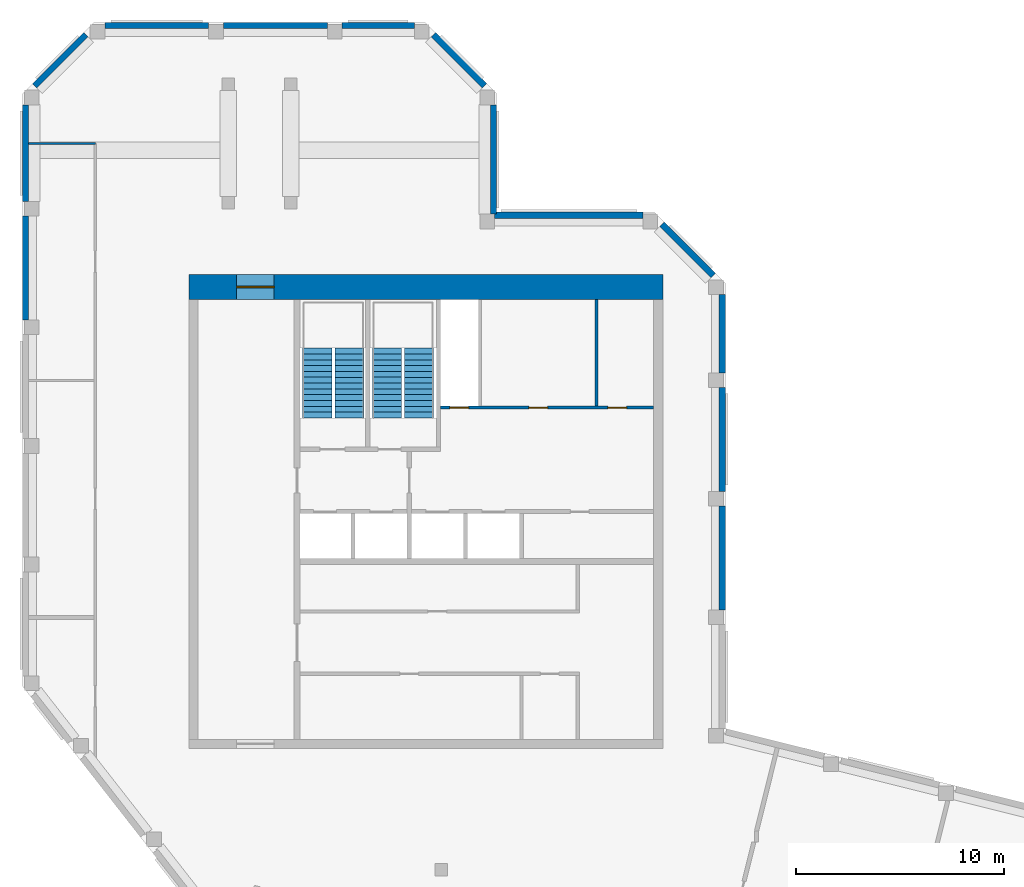
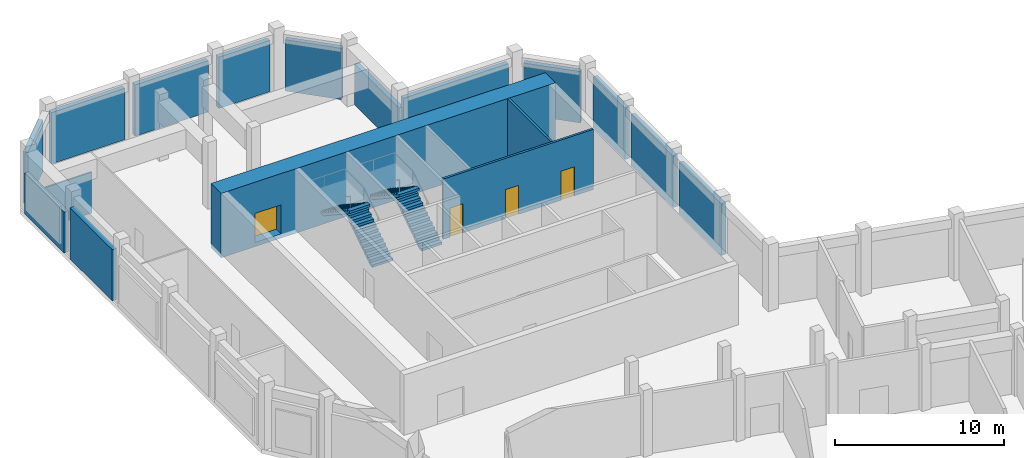
# One storey, part 4 of 5: 17 walls, 4 doors, 4 stair flights, 4 openings, 2 elements without a shape of their own.
"""IFC4 building model written with IfcOpenShell, lengths in metres."""

from ifc_helpers import new_model, si_unit, direction, frame, frame_2d, origin, place, context, subcontext, project, spatial, polyline, rectangle, outline, extrude, material, layer, layer_set, type_object, element, fill, aggregate, save


model = new_model("IFC4")

# Units and contexts
model_context = context("Model", 3, precision=1e-05, world=origin(), true_north=direction((0.0, 1.0)))
body_context = subcontext(model_context, "Body", "Model", "MODEL_VIEW")
ifc_project = project(units=[si_unit("LENGTHUNIT", "METRE"), si_unit("AREAUNIT", "SQUARE_METRE"), si_unit("VOLUMEUNIT", "CUBIC_METRE"), si_unit("PLANEANGLEUNIT", "RADIAN"), si_unit("MASSUNIT", "GRAM", prefix="KILO")], contexts=[model_context])

# Site, building, storey
site_placement = place(None, origin())
site = spatial("IfcSite", under=ifc_project, at=site_placement, CompositionType="ELEMENT")
building_placement = place(site_placement, origin())
building = spatial("IfcBuilding", under=site, at=building_placement, Name="Meshkara Civic Tower", CompositionType="ELEMENT")
storey_placement = place(building_placement, frame((0.0, 0.0, 405.0)))
storey = spatial("IfcBuildingStorey", under=building, at=storey_placement, Name="L93 Crown", CompositionType="ELEMENT", Elevation=405.0)

# Walls
ifc_material_1 = material(Name="Insulated infill panel with bronze anodised aluminium cladding", Category="aluminium")
ifc_layer_1 = layer(ifc_material_1, 0.300048828125)
ifc_layer_set_1 = layer_set([ifc_layer_1], Name="CROWN WALL 300")
wall_type_1 = type_object("IfcWallType", Name="CROWN WALL 300", PredefinedType="SOLIDWALL", material=ifc_layer_set_1)
for number, where, z_axis, x_axis, name in (
    (1, (33.64990234375, 20.76904296875, 0.0), (0.0, 0.0, 1.0), (0.0, 1.0, 0.0), "Crown external wall"),
    (2, (33.64990234375, 26.468994140625, 0.0), (0.0, 0.0, 1.0), (0.0, 1.0, 0.0), "Crown external wall"),
):
    element("IfcWall", number, at=place(storey_placement, frame(where, z_axis=z_axis, x_axis=x_axis)), inside=storey, type_object=wall_type_1, Name=name, PredefinedType="SOLIDWALL", context=body_context, shape_type="SweptSolid", body=[
        extrude(rectangle(XDim=5.0, YDim=0.300048828125, at=frame_2d((2.5, 0.0))), origin(), (0.0, 0.0, 1.0), 3.699951171875),
    ])
wall_1_placement = place(storey_placement, frame((33.64990234375, 32.1689453125, 0.0), z_axis=(0.0, 0.0, 1.0), x_axis=(0.0, 1.0, 0.0)))
element("IfcWall", 3, at=wall_1_placement, inside=storey, type_object=wall_type_1, Name="Crown external wall", PredefinedType="SOLIDWALL", context=body_context, shape_type="SweptSolid", body=[
    extrude(rectangle(XDim=3.775146484375, YDim=0.300048828125, at=frame_2d((1.8876953125, 0.0))), origin(), (0.0, 0.0, 1.0), 3.699951171875),
])
wall_2_placement = place(storey_placement, frame((33.2119140625, 36.85595703125, 0.0), z_axis=(0.0, 0.0, 1.0), x_axis=(-0.707071634094, 0.707141926532, 0.0)))
element("IfcWall", 4, at=wall_2_placement, inside=storey, type_object=wall_type_1, Name="Crown external wall", PredefinedType="SOLIDWALL", context=body_context, shape_type="SweptSolid", body=[
    extrude(rectangle(XDim=3.47314453125, YDim=0.300048828125, at=frame_2d((1.736572265625, 0.0))), origin(), (0.0, 0.0, 1.0), 3.699951171875),
])
wall_3_placement = place(storey_placement, frame((29.843994140625, 39.75, 0.0), z_axis=(0.0, 0.0, 1.0), x_axis=(-1.0, 0.0, 0.0)))
element("IfcWall", 5, at=wall_3_placement, inside=storey, type_object=wall_type_1, Name="Crown external wall", PredefinedType="SOLIDWALL", context=body_context, shape_type="SweptSolid", body=[
    extrude(rectangle(XDim=7.14404296875, YDim=0.300048828125, at=frame_2d((3.572021484375, 0.0))), origin(), (0.0, 0.0, 1.0), 3.699951171875),
])
wall_4_placement = place(storey_placement, frame((22.64990234375, 39.800048828125, 0.0), z_axis=(0.0, 0.0, 1.0), x_axis=(0.0, 1.0, 0.0)))
element("IfcWall", 6, at=wall_4_placement, inside=storey, type_object=wall_type_1, Name="Crown external wall", PredefinedType="SOLIDWALL", context=body_context, shape_type="SweptSolid", body=[
    extrude(rectangle(XDim=5.263916015625, YDim=0.300048828125, at=frame_2d((2.6318359375, 0.0))), origin(), (0.0, 0.0, 1.0), 2.949951171875),
])
wall_5_placement = place(storey_placement, frame((22.2119140625, 45.97607421875, 0.0), z_axis=(0.0, 0.0, 1.0), x_axis=(-0.707106781187, 0.707106781187, 0.0)))
element("IfcWall", 7, at=wall_5_placement, inside=storey, type_object=wall_type_1, Name="Crown external wall", PredefinedType="SOLIDWALL", context=body_context, shape_type="SweptSolid", body=[
    extrude(rectangle(XDim=3.47314453125, YDim=0.300048828125, at=frame_2d((1.736572265625, 0.0))), origin(), (0.0, 0.0, 1.0), 3.699951171875),
])
wall_6_placement = place(storey_placement, frame((18.843994140625, 48.8701171875, 0.0), z_axis=(0.0, 0.0, 1.0), x_axis=(-1.0, 0.0, 0.0)))
element("IfcWall", 8, at=wall_6_placement, inside=storey, type_object=wall_type_1, Name="Crown external wall", PredefinedType="SOLIDWALL", context=body_context, shape_type="SweptSolid", body=[
    extrude(rectangle(XDim=3.488037109375, YDim=0.300048828125, at=frame_2d((1.744140625, 0.0))), origin(), (0.0, 0.0, 1.0), 3.699951171875),
])
for number, where, z_axis, x_axis, name in (
    (9, (14.656005859375, 48.8701171875, 0.0), (0.0, 0.0, 1.0), (-1.0, 0.0, 0.0), "Crown external wall"),
    (10, (8.9560546875, 48.8701171875, 0.0), (0.0, 0.0, 1.0), (-1.0, 0.0, 0.0), "Crown external wall"),
):
    element("IfcWall", number, at=place(storey_placement, frame(where, z_axis=z_axis, x_axis=x_axis)), inside=storey, type_object=wall_type_1, Name=name, PredefinedType="SOLIDWALL", context=body_context, shape_type="SweptSolid", body=[
        extrude(rectangle(XDim=5.0, YDim=0.300048828125, at=frame_2d((2.5, 0.0))), origin(), (0.0, 0.0, 1.0), 3.699951171875),
    ])
wall_7_placement = place(storey_placement, frame((3.0439453125, 48.431884765625, 0.0), z_axis=(0.0, 0.0, 1.0), x_axis=(-0.707141926532, -0.707071634094, 0.0)))
element("IfcWall", 11, at=wall_7_placement, inside=storey, type_object=wall_type_1, Name="Crown external wall", PredefinedType="SOLIDWALL", context=body_context, shape_type="SweptSolid", body=[
    extrude(rectangle(XDim=3.47314453125, YDim=0.300048828125, at=frame_2d((1.736572265625, 0.0))), origin(), (0.0, 0.0, 1.0), 3.699951171875),
])
wall_8_placement = place(storey_placement, frame((0.14990234375, 45.06396484375, 0.0), z_axis=(0.0, 0.0, 1.0), x_axis=(0.0, -1.0, 0.0)))
element("IfcWall", 12, at=wall_8_placement, inside=storey, type_object=wall_type_1, Name="Crown external wall", PredefinedType="SOLIDWALL", context=body_context, shape_type="SweptSolid", body=[
    extrude(rectangle(XDim=4.658935546875, YDim=0.300048828125, at=frame_2d((2.32958984375, 0.0))), origin(), (0.0, 0.0, 1.0), 2.949951171875),
])
wall_9_placement = place(storey_placement, frame((0.14990234375, 39.705078125, 0.0), z_axis=(0.0, 0.0, 1.0), x_axis=(0.0, -1.0, 0.0)))
element("IfcWall", 13, at=wall_9_placement, inside=storey, type_object=wall_type_1, Name="Crown external wall", PredefinedType="SOLIDWALL", context=body_context, shape_type="SweptSolid", body=[
    extrude(rectangle(XDim=5.0, YDim=0.300048828125, at=frame_2d((2.5, 0.0))), origin(), (0.0, 0.0, 1.0), 3.699951171875),
])

# Wall, openings, doors
ifc_material_2 = material(Name="Blockwork", Category="masonry")
ifc_layer_2 = layer(ifc_material_2, 0.14990234375)
ifc_layer_set_2 = layer_set([ifc_layer_2], Name="Core partition 150")
wall_type_2 = type_object("IfcWallType", Name="Core partition 150", PredefinedType="PARTITIONING", material=ifc_layer_set_2)
wall_10_placement = place(storey_placement, frame((20.10009765625, 30.5, 0.0), z_axis=(0.0, 0.0, 1.0), x_axis=(1.0, 0.0, 0.0)))
wall_10 = element("IfcWall", 14, at=wall_10_placement, inside=storey, type_object=wall_type_2, Name="L93 Crown-C010", PredefinedType="PARTITIONING", context=body_context, shape_type="SweptSolid", body=[
    extrude(rectangle(XDim=10.25, YDim=0.14990234375, at=frame_2d((5.125, 0.0))), origin(), (0.0, 0.0, 1.0), 4.35009765625),
])
opening_1_placement = place(wall_10_placement, frame((0.449951171875, 0.0, 0.0)))
opening_1 = element("IfcOpeningElement", 15, at=opening_1_placement, cuts=wall_10, Name="Opening L93 Crown-K009", PredefinedType="OPENING", context=body_context, shape_type="SweptSolid", body=[
    extrude(rectangle(XDim=0.89990234375, YDim=2.10009765625, at=frame_2d((0.449951171875, 1.050048828125))), frame((0.0, 0.0849609375, 0.0), z_axis=(0.0, -1.0, 0.0), x_axis=(1.0, 0.0, 0.0)), (0.0, 0.0, 1.0), 0.169921875),
])
opening_2_placement = place(wall_10_placement, frame((4.25, 0.0, 0.0)))
opening_2 = element("IfcOpeningElement", 16, at=opening_2_placement, cuts=wall_10, Name="Opening L93 Crown-K010", PredefinedType="OPENING", context=body_context, shape_type="SweptSolid", body=[
    extrude(rectangle(XDim=0.89990234375, YDim=2.10009765625, at=frame_2d((0.449951171875, 1.050048828125))), frame((0.0, 0.0849609375, 0.0), z_axis=(0.0, -1.0, 0.0), x_axis=(1.0, 0.0, 0.0)), (0.0, 0.0, 1.0), 0.169921875),
])
opening_3_placement = place(wall_10_placement, frame((8.050048828125, 0.0, 0.0)))
opening_3 = element("IfcOpeningElement", 17, at=opening_3_placement, cuts=wall_10, Name="Opening L93 Crown-K011", PredefinedType="OPENING", context=body_context, shape_type="SweptSolid", body=[
    extrude(rectangle(XDim=0.89990234375, YDim=2.10009765625, at=frame_2d((0.449951171875, 1.050048828125))), frame((0.0, 0.0849609375, 0.0), z_axis=(0.0, -1.0, 0.0), x_axis=(1.0, 0.0, 0.0)), (0.0, 0.0, 1.0), 0.169921875),
])
ifc_material_3 = material(Name="Timber door leaf in steel frame", Category="steel")
door_type_1 = type_object("IfcDoorType", Name="Core room door 900", OperationType="SINGLE_SWING_LEFT", PredefinedType="DOOR", material=ifc_material_3)
door_1_placement = place(opening_2_placement, origin())
door_1 = element("IfcDoor", 18, at=door_1_placement, inside=storey, type_object=door_type_1, Name="L93 Crown-K010", OperationType="SINGLE_SWING_RIGHT", OverallHeight=2.10009765625, OverallWidth=0.89990234375, PredefinedType="DOOR", context=body_context, shape_type="SweptSolid", body=[
    extrude(rectangle(XDim=0.89990234375, YDim=2.10009765625, at=frame_2d((0.449951171875, 1.050048828125))), frame((0.0, 0.02490234375, 0.0), z_axis=(0.0, -1.0, 0.0), x_axis=(1.0, 0.0, 0.0)), (0.0, 0.0, 1.0), 0.050048828125),
])
fill(opening_2, door_1)
door_2_placement = place(opening_3_placement, origin())
door_2 = element("IfcDoor", 19, at=door_2_placement, inside=storey, type_object=door_type_1, Name="L93 Crown-K011", OperationType="SINGLE_SWING_RIGHT", OverallHeight=2.10009765625, OverallWidth=0.89990234375, PredefinedType="DOOR", context=body_context, shape_type="SweptSolid", body=[
    extrude(rectangle(XDim=0.89990234375, YDim=2.10009765625, at=frame_2d((0.449951171875, 1.050048828125))), frame((0.0, 0.02490234375, 0.0), z_axis=(0.0, -1.0, 0.0), x_axis=(1.0, 0.0, 0.0)), (0.0, 0.0, 1.0), 0.050048828125),
])
fill(opening_3, door_2)
ifc_material_4 = material(Name="Fire-rated door leaf in steel frame", Category="steel")
door_type_2 = type_object("IfcDoorType", Name="Riser door 900", OperationType="SINGLE_SWING_LEFT", PredefinedType="DOOR", material=ifc_material_4)
door_3_placement = place(opening_1_placement, origin())
door_3 = element("IfcDoor", 20, at=door_3_placement, inside=storey, type_object=door_type_2, Name="L93 Crown-K009", OperationType="SINGLE_SWING_RIGHT", OverallHeight=2.10009765625, OverallWidth=0.89990234375, PredefinedType="DOOR", context=body_context, shape_type="SweptSolid", body=[
    extrude(rectangle(XDim=0.89990234375, YDim=2.10009765625, at=frame_2d((0.449951171875, 1.050048828125))), frame((0.0, 0.02490234375, 0.0), z_axis=(0.0, -1.0, 0.0), x_axis=(1.0, 0.0, 0.0)), (0.0, 0.0, 1.0), 0.050048828125),
])
fill(opening_1, door_3)

# Wall
wall_11_placement = place(storey_placement, frame((27.60009765625, 30.574951171875, 0.0), z_axis=(0.0, 0.0, 1.0), x_axis=(0.0, 1.0, 0.0)))
element("IfcWall", 21, at=wall_11_placement, inside=storey, type_object=wall_type_2, Name="L93 Crown-C022", PredefinedType="PARTITIONING", context=body_context, shape_type="SweptSolid", body=[
    extrude(rectangle(XDim=5.125, YDim=0.14990234375, at=frame_2d((2.5625, 0.0))), origin(), (0.0, 0.0, 1.0), 4.35009765625),
])

# Wall, opening, door
ifc_material_5 = material(Name="Concrete C50", Category="concrete")
ifc_layer_3 = layer(ifc_material_5, 1.199951171875)
ifc_layer_set_3 = layer_set([ifc_layer_3], Name="Core ring wall 1200 C50")
wall_type_3 = type_object("IfcWallType", Name="Core ring wall 1200 C50", PredefinedType="SHEAR", material=ifc_layer_set_3)
wall_12_placement = place(storey_placement, frame((8.0, 36.300048828125, -0.300048828125), z_axis=(0.0, 0.0, 1.0), x_axis=(1.0, 0.0, 0.0)))
wall_12 = element("IfcWall", 22, at=wall_12_placement, inside=storey, type_object=wall_type_3, Name="L93 Crown-C002", PredefinedType="SHEAR", context=body_context, shape_type="SweptSolid", body=[
    extrude(rectangle(XDim=22.800048828125, YDim=1.199951171875, at=frame_2d((11.39990234375, 0.0))), origin(), (0.0, 0.0, 1.0), 4.650146484375),
])
opening_4_placement = place(wall_12_placement, frame((2.300048828125, 0.0, 0.300048828125)))
opening_4 = element("IfcOpeningElement", 23, at=opening_4_placement, cuts=wall_12, Name="Opening L93 Crown-K017", PredefinedType="OPENING", context=body_context, shape_type="SweptSolid", body=[
    extrude(rectangle(XDim=1.800048828125, YDim=2.10009765625, at=frame_2d((0.89990234375, 1.050048828125))), frame((0.0, 0.60986328125, 0.0), z_axis=(0.0, -1.0, 0.0), x_axis=(1.0, 0.0, 0.0)), (0.0, 0.0, 1.0), 1.219970703125),
])
ifc_material_6 = material(Name="Fire-rated door leaf in steel frame", Category="steel")
door_type_3 = type_object("IfcDoorType", Name="Core double door 1800 EI 60", OperationType="DOUBLE_DOOR_SINGLE_SWING", PredefinedType="DOOR", material=ifc_material_6)
door_4_placement = place(opening_4_placement, origin())
door_4 = element("IfcDoor", 24, at=door_4_placement, inside=storey, type_object=door_type_3, Name="L93 Crown-K017", OperationType="DOUBLE_DOOR_SINGLE_SWING", OverallHeight=2.10009765625, OverallWidth=1.800048828125, PredefinedType="DOOR", context=body_context, shape_type="SweptSolid", body=[
    extrude(rectangle(XDim=1.800048828125, YDim=2.10009765625, at=frame_2d((0.89990234375, 1.050048828125))), frame((0.0, 0.02490234375, 0.0), z_axis=(0.0, -1.0, 0.0), x_axis=(1.0, 0.0, 0.0)), (0.0, 0.0, 1.0), 0.050048828125),
])
fill(opening_4, door_4)

# Wall
ifc_material_7 = material(Name="Corridor wall 100")
ifc_layer_4 = layer(ifc_material_7, 0.10009765625)
ifc_layer_set_4 = layer_set([ifc_layer_4], Name="Corridor wall 100")
wall_type_4 = type_object("IfcWallType", Name="Corridor wall 100", PredefinedType="PARTITIONING", material=ifc_layer_set_4)
wall_13_placement = place(storey_placement, frame((0.300048828125, 43.199951171875, 0.0), z_axis=(0.0, 0.0, 1.0), x_axis=(1.0, 0.0, 0.0)))
element("IfcWall", 25, at=wall_13_placement, inside=storey, type_object=wall_type_4, Name="L93 Crown-R001", PredefinedType="PARTITIONING", context=body_context, shape_type="SweptSolid", body=[
    extrude(rectangle(XDim=3.199951171875, YDim=0.10009765625, at=frame_2d((1.60009765625, 0.0))), origin(), (0.0, 0.0, 1.0), 2.949951171875),
])

# Stair, stair flights
ifc_material_8 = material(Name="Precast concrete C40/50", Category="concrete")
stair_type = type_object("IfcStairType", Name="Exit stair half-turn 26 risers precast", PredefinedType="HALF_TURN_STAIR", material=ifc_material_8)
stair_1_placement = place(storey_placement, origin())
stair_1 = element("IfcStair", 26, at=stair_1_placement, inside=storey, type_object=stair_type, Name="L93 Crown exit stair 1", PredefinedType="HALF_TURN_STAIR")
ifc_material_9 = material(Name="Precast concrete C40/50", Category="concrete")
stair_flight_type = type_object("IfcStairFlightType", Name="Exit stair flight 13 risers precast", PredefinedType="STRAIGHT", material=ifc_material_9)
stair_flight_1_placement = place(storey_placement, frame((15.72509765625, 30.0, 0.0), z_axis=(0.0, 0.0, 1.0), x_axis=(0.0, 1.0, 0.0)))
stair_flight_1 = element("IfcStairFlight", 27, at=stair_flight_1_placement, type_object=stair_flight_type, Name="ST1 flight 1", NumberOfRisers=13, NumberOfTreads=12, PredefinedType="STRAIGHT", RiserHeight=0.184615385, TreadLength=0.28, context=body_context, shape_type="SweptSolid", body=[
    extrude(outline(polyline([(0.0, 0.0), (0.0, 0.1845703125), (0.280029296875, 0.1845703125), (0.280029296875, 0.369140625), (0.56005859375, 0.369140625), (0.56005859375, 0.553955078125), (0.840087890625, 0.553955078125), (0.840087890625, 0.738525390625), (1.1201171875, 0.738525390625), (1.1201171875, 0.923095703125), (1.39990234375, 0.923095703125), (1.39990234375, 1.107666015625), (1.679931640625, 1.107666015625), (1.679931640625, 1.292236328125), (1.9599609375, 1.292236328125), (1.9599609375, 1.476806640625), (2.239990234375, 1.476806640625), (2.239990234375, 1.66162109375), (2.52001953125, 1.66162109375), (2.52001953125, 1.84619140625), (2.800048828125, 1.84619140625), (2.800048828125, 2.03076171875), (3.080078125, 2.03076171875), (3.080078125, 2.21533203125), (3.360107421875, 2.21533203125), (3.360107421875, 2.39990234375), (3.360107421875, 2.035888671875), (0.272216796875, 0.0), (0.0, 0.0)])), frame((0.0, 0.699951171875, 0.0), z_axis=(0.0, -1.0, 0.0), x_axis=(1.0, 0.0, 0.0)), (0.0, 0.0, 1.0), 1.39990234375),
])
stair_flight_2_placement = place(storey_placement, frame((14.175048828125, 33.360107421875, 2.39990234375), z_axis=(0.0, 0.0, 1.0), x_axis=(0.0, -1.0, 0.0)))
stair_flight_2 = element("IfcStairFlight", 28, at=stair_flight_2_placement, type_object=stair_flight_type, Name="ST1 flight 2", NumberOfRisers=13, NumberOfTreads=12, PredefinedType="STRAIGHT", RiserHeight=0.184615385, TreadLength=0.28, context=body_context, shape_type="SweptSolid", body=[
    extrude(outline(polyline([(0.0, 0.0), (0.0, 0.1845703125), (0.280029296875, 0.1845703125), (0.280029296875, 0.369140625), (0.56005859375, 0.369140625), (0.56005859375, 0.553955078125), (0.840087890625, 0.553955078125), (0.840087890625, 0.738525390625), (1.1201171875, 0.738525390625), (1.1201171875, 0.923095703125), (1.39990234375, 0.923095703125), (1.39990234375, 1.107666015625), (1.679931640625, 1.107666015625), (1.679931640625, 1.292236328125), (1.9599609375, 1.292236328125), (1.9599609375, 1.476806640625), (2.239990234375, 1.476806640625), (2.239990234375, 1.66162109375), (2.52001953125, 1.66162109375), (2.52001953125, 1.84619140625), (2.800048828125, 1.84619140625), (2.800048828125, 2.03076171875), (3.080078125, 2.03076171875), (3.080078125, 2.21533203125), (3.360107421875, 2.21533203125), (3.360107421875, 2.39990234375), (3.360107421875, 2.035888671875), (0.272216796875, 0.0), (0.0, 0.0)])), frame((0.0, 0.699951171875, 0.0), z_axis=(0.0, -1.0, 0.0), x_axis=(1.0, 0.0, 0.0)), (0.0, 0.0, 1.0), 1.39990234375),
])
aggregate(stair_1, [stair_flight_1, stair_flight_2])

stair_2_placement = place(storey_placement, origin())
stair_2 = element("IfcStair", 29, at=stair_2_placement, inside=storey, type_object=stair_type, Name="L93 Crown exit stair 2", PredefinedType="HALF_TURN_STAIR")
stair_flight_3_placement = place(storey_placement, frame((19.074951171875, 30.0, 0.0), z_axis=(0.0, 0.0, 1.0), x_axis=(0.0, 1.0, 0.0)))
stair_flight_3 = element("IfcStairFlight", 30, at=stair_flight_3_placement, type_object=stair_flight_type, Name="ST2 flight 1", NumberOfRisers=13, NumberOfTreads=12, PredefinedType="STRAIGHT", RiserHeight=0.184615385, TreadLength=0.28, context=body_context, shape_type="SweptSolid", body=[
    extrude(outline(polyline([(0.0, 0.0), (0.0, 0.1845703125), (0.280029296875, 0.1845703125), (0.280029296875, 0.369140625), (0.56005859375, 0.369140625), (0.56005859375, 0.553955078125), (0.840087890625, 0.553955078125), (0.840087890625, 0.738525390625), (1.1201171875, 0.738525390625), (1.1201171875, 0.923095703125), (1.39990234375, 0.923095703125), (1.39990234375, 1.107666015625), (1.679931640625, 1.107666015625), (1.679931640625, 1.292236328125), (1.9599609375, 1.292236328125), (1.9599609375, 1.476806640625), (2.239990234375, 1.476806640625), (2.239990234375, 1.66162109375), (2.52001953125, 1.66162109375), (2.52001953125, 1.84619140625), (2.800048828125, 1.84619140625), (2.800048828125, 2.03076171875), (3.080078125, 2.03076171875), (3.080078125, 2.21533203125), (3.360107421875, 2.21533203125), (3.360107421875, 2.39990234375), (3.360107421875, 2.035888671875), (0.272216796875, 0.0), (0.0, 0.0)])), frame((0.0, 0.699951171875, 0.0), z_axis=(0.0, -1.0, 0.0), x_axis=(1.0, 0.0, 0.0)), (0.0, 0.0, 1.0), 1.39990234375),
])
stair_flight_4_placement = place(storey_placement, frame((17.52490234375, 33.360107421875, 2.39990234375), z_axis=(0.0, 0.0, 1.0), x_axis=(0.0, -1.0, 0.0)))
stair_flight_4 = element("IfcStairFlight", 31, at=stair_flight_4_placement, type_object=stair_flight_type, Name="ST2 flight 2", NumberOfRisers=13, NumberOfTreads=12, PredefinedType="STRAIGHT", RiserHeight=0.184615385, TreadLength=0.28, context=body_context, shape_type="SweptSolid", body=[
    extrude(outline(polyline([(0.0, 0.0), (0.0, 0.1845703125), (0.280029296875, 0.1845703125), (0.280029296875, 0.369140625), (0.56005859375, 0.369140625), (0.56005859375, 0.553955078125), (0.840087890625, 0.553955078125), (0.840087890625, 0.738525390625), (1.1201171875, 0.738525390625), (1.1201171875, 0.923095703125), (1.39990234375, 0.923095703125), (1.39990234375, 1.107666015625), (1.679931640625, 1.107666015625), (1.679931640625, 1.292236328125), (1.9599609375, 1.292236328125), (1.9599609375, 1.476806640625), (2.239990234375, 1.476806640625), (2.239990234375, 1.66162109375), (2.52001953125, 1.66162109375), (2.52001953125, 1.84619140625), (2.800048828125, 1.84619140625), (2.800048828125, 2.03076171875), (3.080078125, 2.03076171875), (3.080078125, 2.21533203125), (3.360107421875, 2.21533203125), (3.360107421875, 2.39990234375), (3.360107421875, 2.035888671875), (0.272216796875, 0.0), (0.0, 0.0)])), frame((0.0, 0.699951171875, 0.0), z_axis=(0.0, -1.0, 0.0), x_axis=(1.0, 0.0, 0.0)), (0.0, 0.0, 1.0), 1.39990234375),
])
aggregate(stair_2, [stair_flight_3, stair_flight_4])

save(model, "model.ifc")
